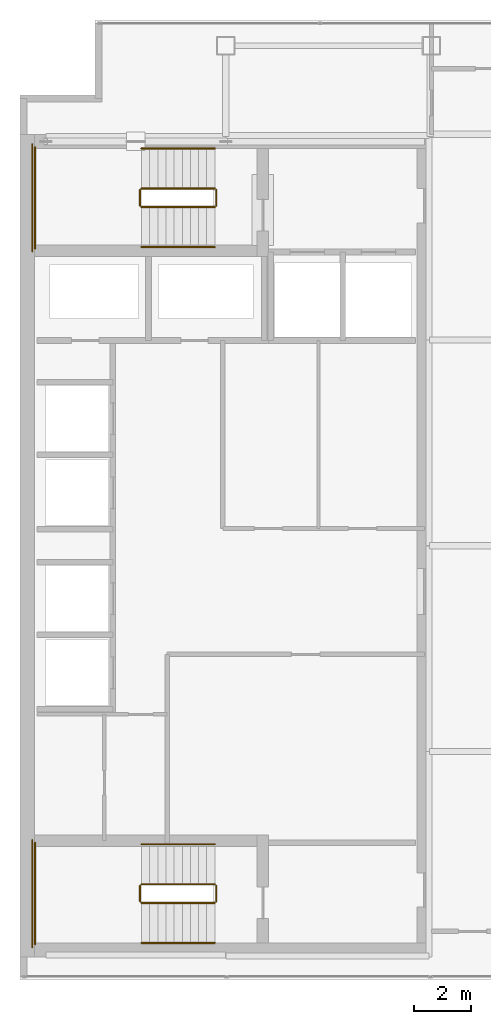
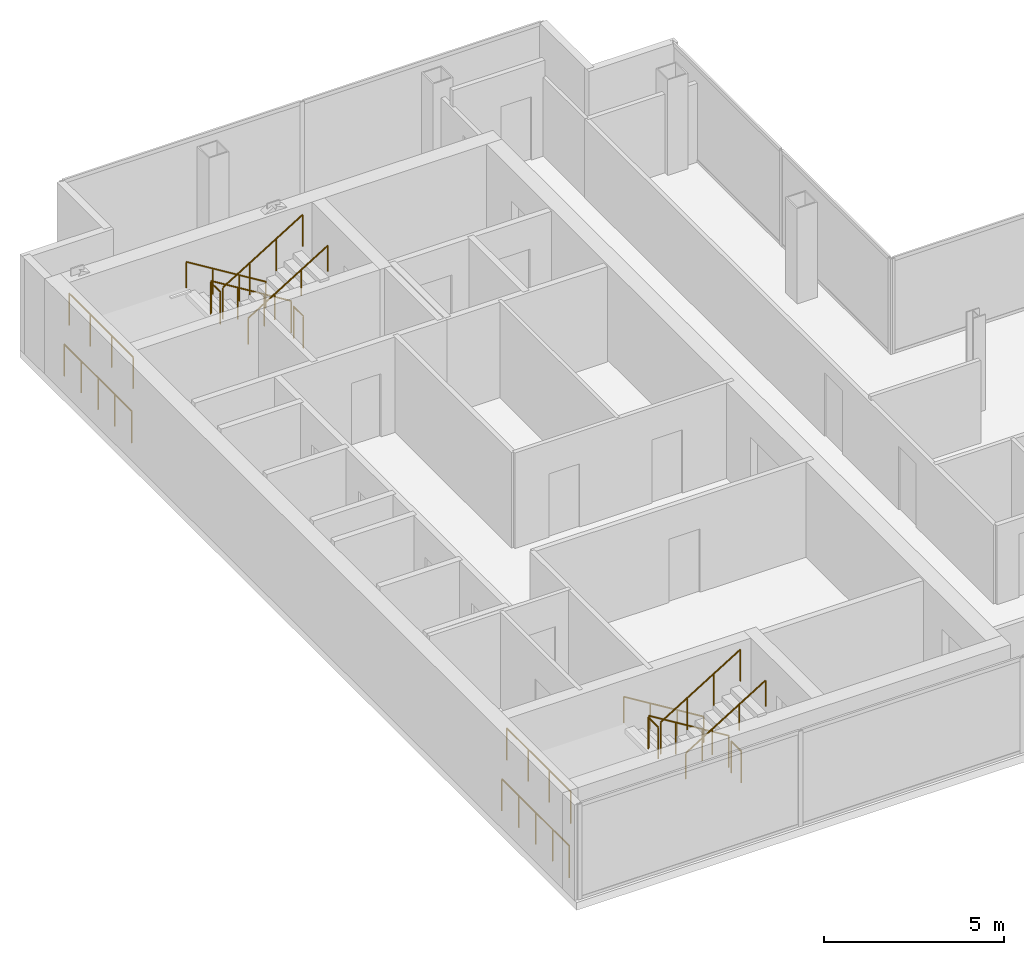
# One storey, part 23 of 23: 16 railings.
"""IFC4 building model written with IfcOpenShell, lengths in metres."""

from ifc_helpers import new_model, si_unit, direction, frame, origin, origin_2d, place, context, subcontext, project, spatial, circle, extrude, material, type_object, element, save


model = new_model("IFC4")

# Units and contexts
model_context = context("Model", 3, precision=1e-05, world=origin(), true_north=direction((0.0, 1.0)))
body_context = subcontext(model_context, "Body", "Model", "MODEL_VIEW")
ifc_project = project(units=[si_unit("LENGTHUNIT", "METRE"), si_unit("AREAUNIT", "SQUARE_METRE"), si_unit("VOLUMEUNIT", "CUBIC_METRE"), si_unit("PLANEANGLEUNIT", "RADIAN"), si_unit("MASSUNIT", "GRAM", prefix="KILO")], contexts=[model_context])

# Site, building, storey
site_placement = place(None, origin())
site = spatial("IfcSite", under=ifc_project, at=site_placement, CompositionType="ELEMENT")
building_placement = place(site_placement, origin())
building = spatial("IfcBuilding", under=site, at=building_placement, Name="Cobrela Telecom Tower", CompositionType="ELEMENT")
storey_placement = place(building_placement, frame((0.0, 0.0, 276.14990234375)))
storey = spatial("IfcBuildingStorey", under=building, at=storey_placement, Name="L72", CompositionType="ELEMENT", Elevation=276.14990234375)

# Railings
ifc_material = material(Name="Steel ASTM A36", Category="steel")
railing_type_1 = type_object("IfcRailingType", Name="RAIL-GUARD-1100", PredefinedType="GUARDRAIL", material=ifc_material)
railing_1_placement = place(storey_placement, frame((6.820068359375, 34.10009765625, 0.175048828125)))
element("IfcRailing", 1, at=railing_1_placement, inside=storey, type_object=railing_type_1, Name="L72 ST1 stair guard 1", PredefinedType="GUARDRAIL", context=body_context, shape_type="SweptSolid", body=[
    extrude(circle(Radius=0.02392578125, at=origin_2d()), frame((0.0, 0.0, 1.076171875), z_axis=(-0.852195335862, 0.0, 0.523223766217), x_axis=(0.0, -1.0, 0.0)), (0.0, 0.0, 1.0), 3.010009765625),
    extrude(circle(Radius=0.02099609375, at=origin_2d()), origin(), (0.0, 0.0, 1.0), 1.052001953125),
    extrude(circle(Radius=0.02099609375, at=origin_2d()), frame((-0.85498046875, 0.0, 0.52490234375)), (0.0, 0.0, 1.0), 1.052001953125),
    extrude(circle(Radius=0.02099609375, at=origin_2d()), frame((-1.710205078125, 0.0, 1.050048828125)), (0.0, 0.0, 1.0), 1.052001953125),
    extrude(circle(Radius=0.02099609375, at=origin_2d()), frame((-2.565185546875, 0.0, 1.574951171875)), (0.0, 0.0, 1.0), 1.052001953125),
])
railing_2_placement = place(storey_placement, frame((4.205078125, 34.050048828125, 1.75)))
element("IfcRailing", 2, at=railing_2_placement, inside=storey, type_object=railing_type_1, Name="L72 ST1 stair guard 2", PredefinedType="GUARDRAIL", context=body_context, shape_type="SweptSolid", body=[
    extrude(circle(Radius=0.02392578125, at=origin_2d()), frame((0.0, 0.0, 1.076171875), z_axis=(0.0, -1.0, 0.0), x_axis=(1.0, 0.0, 0.0)), (0.0, 0.0, 1.0), 0.550048828125),
    extrude(circle(Radius=0.02099609375, at=origin_2d()), origin(), (0.0, 0.0, 1.0), 1.052001953125),
    extrude(circle(Radius=0.02099609375, at=origin_2d()), frame((0.0, -0.550048828125, 0.0)), (0.0, 0.0, 1.0), 1.052001953125),
])
railing_3_placement = place(storey_placement, frame((0.530029296875, 35.550048828125, 1.75)))
element("IfcRailing", 3, at=railing_3_placement, inside=storey, type_object=railing_type_1, Name="L72 ST1 stair guard 3", PredefinedType="GUARDRAIL", context=body_context, shape_type="SweptSolid", body=[
    extrude(circle(Radius=0.02392578125, at=origin_2d()), frame((0.0, 0.0, 1.076171875), z_axis=(0.0, -1.0, 0.0), x_axis=(1.0, 0.0, 0.0)), (0.0, 0.0, 1.0), 3.550048828125),
    extrude(circle(Radius=0.02099609375, at=origin_2d()), origin(), (0.0, 0.0, 1.0), 1.052001953125),
    extrude(circle(Radius=0.02099609375, at=origin_2d()), frame((0.0, -1.183349609375, 0.0)), (0.0, 0.0, 1.0), 1.052001953125),
    extrude(circle(Radius=0.02099609375, at=origin_2d()), frame((0.0, -2.36669921875, 0.0)), (0.0, 0.0, 1.0), 1.052001953125),
    extrude(circle(Radius=0.02099609375, at=origin_2d()), frame((0.0, -3.550048828125, 0.0)), (0.0, 0.0, 1.0), 1.052001953125),
])
railing_4_placement = place(storey_placement, frame((4.2548828125, 33.449951171875, 1.925048828125)))
element("IfcRailing", 4, at=railing_4_placement, inside=storey, type_object=railing_type_1, Name="L72 ST1 stair guard 4", PredefinedType="GUARDRAIL", context=body_context, shape_type="SweptSolid", body=[
    extrude(circle(Radius=0.02392578125, at=origin_2d()), frame((0.0, 0.0, 1.076171875), z_axis=(0.852195335862, 0.0, 0.523223766217), x_axis=(0.0, 1.0, 0.0)), (0.0, 0.0, 1.0), 3.010009765625),
    extrude(circle(Radius=0.02099609375, at=origin_2d()), origin(), (0.0, 0.0, 1.0), 1.052001953125),
    extrude(circle(Radius=0.02099609375, at=origin_2d()), frame((0.85498046875, 0.0, 0.52490234375)), (0.0, 0.0, 1.0), 1.052001953125),
    extrude(circle(Radius=0.02099609375, at=origin_2d()), frame((1.710205078125, 0.0, 1.050048828125)), (0.0, 0.0, 1.0), 1.052001953125),
    extrude(circle(Radius=0.02099609375, at=origin_2d()), frame((2.565185546875, 0.0, 1.574951171875)), (0.0, 0.0, 1.0), 1.052001953125),
])
railing_5_placement = place(storey_placement, frame((6.8701171875, 34.050048828125, 0.0)))
element("IfcRailing", 5, at=railing_5_placement, inside=storey, type_object=railing_type_1, Name="L72 ST1 stair guard 5", PredefinedType="GUARDRAIL", context=body_context, shape_type="SweptSolid", body=[
    extrude(circle(Radius=0.02392578125, at=origin_2d()), frame((0.0, 0.0, 1.076171875), z_axis=(0.0, -1.0, 0.0), x_axis=(1.0, 0.0, 0.0)), (0.0, 0.0, 1.0), 0.550048828125),
    extrude(circle(Radius=0.02099609375, at=origin_2d()), origin(), (0.0, 0.0, 1.0), 1.052001953125),
    extrude(circle(Radius=0.02099609375, at=origin_2d()), frame((0.0, -0.550048828125, 0.0)), (0.0, 0.0, 1.0), 1.052001953125),
])
railing_6_placement = place(storey_placement, frame((0.429931640625, 35.64990234375, 0.0)))
element("IfcRailing", 6, at=railing_6_placement, inside=storey, type_object=railing_type_1, Name="L72 ST1 stair guard 6", PredefinedType="GUARDRAIL", context=body_context, shape_type="SweptSolid", body=[
    extrude(circle(Radius=0.02392578125, at=origin_2d()), frame((0.0, 0.0, 1.076171875), z_axis=(0.0, -1.0, 0.0), x_axis=(1.0, 0.0, 0.0)), (0.0, 0.0, 1.0), 3.75),
    extrude(circle(Radius=0.02099609375, at=origin_2d()), origin(), (0.0, 0.0, 1.0), 1.052001953125),
    extrude(circle(Radius=0.02099609375, at=origin_2d()), frame((0.0, -0.9375, 0.0)), (0.0, 0.0, 1.0), 1.052001953125),
    extrude(circle(Radius=0.02099609375, at=origin_2d()), frame((0.0, -1.875, 0.0)), (0.0, 0.0, 1.0), 1.052001953125),
    extrude(circle(Radius=0.02099609375, at=origin_2d()), frame((0.0, -2.8125, 0.0)), (0.0, 0.0, 1.0), 1.052001953125),
    extrude(circle(Radius=0.02099609375, at=origin_2d()), frame((0.0, -3.75, 0.0)), (0.0, 0.0, 1.0), 1.052001953125),
])
railing_7_placement = place(storey_placement, frame((6.820068359375, 9.75, 0.175048828125)))
element("IfcRailing", 7, at=railing_7_placement, inside=storey, type_object=railing_type_1, Name="L72 ST2 stair guard 1", PredefinedType="GUARDRAIL", context=body_context, shape_type="SweptSolid", body=[
    extrude(circle(Radius=0.02392578125, at=origin_2d()), frame((0.0, 0.0, 1.076171875), z_axis=(-0.852195335862, 0.0, 0.523223766217), x_axis=(0.0, -1.0, 0.0)), (0.0, 0.0, 1.0), 3.010009765625),
    extrude(circle(Radius=0.02099609375, at=origin_2d()), origin(), (0.0, 0.0, 1.0), 1.052001953125),
    extrude(circle(Radius=0.02099609375, at=origin_2d()), frame((-0.85498046875, 0.0, 0.52490234375)), (0.0, 0.0, 1.0), 1.052001953125),
    extrude(circle(Radius=0.02099609375, at=origin_2d()), frame((-1.710205078125, 0.0, 1.050048828125)), (0.0, 0.0, 1.0), 1.052001953125),
    extrude(circle(Radius=0.02099609375, at=origin_2d()), frame((-2.565185546875, 0.0, 1.574951171875)), (0.0, 0.0, 1.0), 1.052001953125),
])
railing_8_placement = place(storey_placement, frame((4.205078125, 9.699951171875, 1.75)))
element("IfcRailing", 8, at=railing_8_placement, inside=storey, type_object=railing_type_1, Name="L72 ST2 stair guard 2", PredefinedType="GUARDRAIL", context=body_context, shape_type="SweptSolid", body=[
    extrude(circle(Radius=0.02392578125, at=origin_2d()), frame((0.0, 0.0, 1.076171875), z_axis=(0.0, -1.0, 0.0), x_axis=(1.0, 0.0, 0.0)), (0.0, 0.0, 1.0), 0.550048828125),
    extrude(circle(Radius=0.02099609375, at=origin_2d()), origin(), (0.0, 0.0, 1.0), 1.052001953125),
    extrude(circle(Radius=0.02099609375, at=origin_2d()), frame((0.0, -0.550048828125, 0.0)), (0.0, 0.0, 1.0), 1.052001953125),
])
railing_9_placement = place(storey_placement, frame((0.530029296875, 11.199951171875, 1.75)))
element("IfcRailing", 9, at=railing_9_placement, inside=storey, type_object=railing_type_1, Name="L72 ST2 stair guard 3", PredefinedType="GUARDRAIL", context=body_context, shape_type="SweptSolid", body=[
    extrude(circle(Radius=0.02392578125, at=origin_2d()), frame((0.0, 0.0, 1.076171875), z_axis=(0.0, -1.0, 0.0), x_axis=(1.0, 0.0, 0.0)), (0.0, 0.0, 1.0), 3.550048828125),
    extrude(circle(Radius=0.02099609375, at=origin_2d()), origin(), (0.0, 0.0, 1.0), 1.052001953125),
    extrude(circle(Radius=0.02099609375, at=origin_2d()), frame((0.0, -1.183349609375, 0.0)), (0.0, 0.0, 1.0), 1.052001953125),
    extrude(circle(Radius=0.02099609375, at=origin_2d()), frame((0.0, -2.36669921875, 0.0)), (0.0, 0.0, 1.0), 1.052001953125),
    extrude(circle(Radius=0.02099609375, at=origin_2d()), frame((0.0, -3.550048828125, 0.0)), (0.0, 0.0, 1.0), 1.052001953125),
])
railing_10_placement = place(storey_placement, frame((4.2548828125, 9.10009765625, 1.925048828125)))
element("IfcRailing", 10, at=railing_10_placement, inside=storey, type_object=railing_type_1, Name="L72 ST2 stair guard 4", PredefinedType="GUARDRAIL", context=body_context, shape_type="SweptSolid", body=[
    extrude(circle(Radius=0.02392578125, at=origin_2d()), frame((0.0, 0.0, 1.076171875), z_axis=(0.852195335862, 0.0, 0.523223766217), x_axis=(0.0, 1.0, 0.0)), (0.0, 0.0, 1.0), 3.010009765625),
    extrude(circle(Radius=0.02099609375, at=origin_2d()), origin(), (0.0, 0.0, 1.0), 1.052001953125),
    extrude(circle(Radius=0.02099609375, at=origin_2d()), frame((0.85498046875, 0.0, 0.52490234375)), (0.0, 0.0, 1.0), 1.052001953125),
    extrude(circle(Radius=0.02099609375, at=origin_2d()), frame((1.710205078125, 0.0, 1.050048828125)), (0.0, 0.0, 1.0), 1.052001953125),
    extrude(circle(Radius=0.02099609375, at=origin_2d()), frame((2.565185546875, 0.0, 1.574951171875)), (0.0, 0.0, 1.0), 1.052001953125),
])
railing_11_placement = place(storey_placement, frame((6.8701171875, 9.699951171875, 0.0)))
element("IfcRailing", 11, at=railing_11_placement, inside=storey, type_object=railing_type_1, Name="L72 ST2 stair guard 5", PredefinedType="GUARDRAIL", context=body_context, shape_type="SweptSolid", body=[
    extrude(circle(Radius=0.02392578125, at=origin_2d()), frame((0.0, 0.0, 1.076171875), z_axis=(0.0, -1.0, 0.0), x_axis=(1.0, 0.0, 0.0)), (0.0, 0.0, 1.0), 0.550048828125),
    extrude(circle(Radius=0.02099609375, at=origin_2d()), origin(), (0.0, 0.0, 1.0), 1.052001953125),
    extrude(circle(Radius=0.02099609375, at=origin_2d()), frame((0.0, -0.550048828125, 0.0)), (0.0, 0.0, 1.0), 1.052001953125),
])
railing_12_placement = place(storey_placement, frame((0.429931640625, 11.300048828125, 0.0)))
element("IfcRailing", 12, at=railing_12_placement, inside=storey, type_object=railing_type_1, Name="L72 ST2 stair guard 6", PredefinedType="GUARDRAIL", context=body_context, shape_type="SweptSolid", body=[
    extrude(circle(Radius=0.02392578125, at=origin_2d()), frame((0.0, 0.0, 1.076171875), z_axis=(0.0, -1.0, 0.0), x_axis=(1.0, 0.0, 0.0)), (0.0, 0.0, 1.0), 3.75),
    extrude(circle(Radius=0.02099609375, at=origin_2d()), origin(), (0.0, 0.0, 1.0), 1.052001953125),
    extrude(circle(Radius=0.02099609375, at=origin_2d()), frame((0.0, -0.9375, 0.0)), (0.0, 0.0, 1.0), 1.052001953125),
    extrude(circle(Radius=0.02099609375, at=origin_2d()), frame((0.0, -1.875, 0.0)), (0.0, 0.0, 1.0), 1.052001953125),
    extrude(circle(Radius=0.02099609375, at=origin_2d()), frame((0.0, -2.8125, 0.0)), (0.0, 0.0, 1.0), 1.052001953125),
    extrude(circle(Radius=0.02099609375, at=origin_2d()), frame((0.0, -3.75, 0.0)), (0.0, 0.0, 1.0), 1.052001953125),
])
railing_type_2 = type_object("IfcRailingType", Name="RAIL-HAND-920", PredefinedType="HANDRAIL", material=ifc_material)
railing_13_placement = place(storey_placement, frame((6.820068359375, 35.5, 0.175048828125)))
element("IfcRailing", 13, at=railing_13_placement, inside=storey, type_object=railing_type_2, Name="L72 ST1 stair handrail 1", PredefinedType="HANDRAIL", context=body_context, shape_type="SweptSolid", body=[
    extrude(circle(Radius=0.02392578125, at=origin_2d()), frame((0.0, 0.0, 0.8759765625), z_axis=(-0.852195335862, 0.0, 0.523223766217), x_axis=(0.0, -1.0, 0.0)), (0.0, 0.0, 1.0), 3.010009765625),
    extrude(circle(Radius=0.02099609375, at=origin_2d()), origin(), (0.0, 0.0, 1.0), 0.851806640625),
    extrude(circle(Radius=0.02099609375, at=origin_2d()), frame((-0.85498046875, 0.0, 0.52490234375)), (0.0, 0.0, 1.0), 0.851806640625),
    extrude(circle(Radius=0.02099609375, at=origin_2d()), frame((-1.710205078125, 0.0, 1.050048828125)), (0.0, 0.0, 1.0), 0.851806640625),
    extrude(circle(Radius=0.02099609375, at=origin_2d()), frame((-2.565185546875, 0.0, 1.574951171875)), (0.0, 0.0, 1.0), 0.851806640625),
])
railing_14_placement = place(storey_placement, frame((4.2548828125, 32.050048828125, 1.925048828125)))
element("IfcRailing", 14, at=railing_14_placement, inside=storey, type_object=railing_type_2, Name="L72 ST1 stair handrail 2", PredefinedType="HANDRAIL", context=body_context, shape_type="SweptSolid", body=[
    extrude(circle(Radius=0.02392578125, at=origin_2d()), frame((0.0, 0.0, 0.8759765625), z_axis=(0.852195335862, 0.0, 0.523223766217), x_axis=(0.0, 1.0, 0.0)), (0.0, 0.0, 1.0), 3.010009765625),
    extrude(circle(Radius=0.02099609375, at=origin_2d()), origin(), (0.0, 0.0, 1.0), 0.851806640625),
    extrude(circle(Radius=0.02099609375, at=origin_2d()), frame((0.85498046875, 0.0, 0.52490234375)), (0.0, 0.0, 1.0), 0.851806640625),
    extrude(circle(Radius=0.02099609375, at=origin_2d()), frame((1.710205078125, 0.0, 1.050048828125)), (0.0, 0.0, 1.0), 0.851806640625),
    extrude(circle(Radius=0.02099609375, at=origin_2d()), frame((2.565185546875, 0.0, 1.574951171875)), (0.0, 0.0, 1.0), 0.851806640625),
])
railing_15_placement = place(storey_placement, frame((6.820068359375, 11.14990234375, 0.175048828125)))
element("IfcRailing", 15, at=railing_15_placement, inside=storey, type_object=railing_type_2, Name="L72 ST2 stair handrail 1", PredefinedType="HANDRAIL", context=body_context, shape_type="SweptSolid", body=[
    extrude(circle(Radius=0.02392578125, at=origin_2d()), frame((0.0, 0.0, 0.8759765625), z_axis=(-0.852195335862, 0.0, 0.523223766217), x_axis=(0.0, -1.0, 0.0)), (0.0, 0.0, 1.0), 3.010009765625),
    extrude(circle(Radius=0.02099609375, at=origin_2d()), origin(), (0.0, 0.0, 1.0), 0.851806640625),
    extrude(circle(Radius=0.02099609375, at=origin_2d()), frame((-0.85498046875, 0.0, 0.52490234375)), (0.0, 0.0, 1.0), 0.851806640625),
    extrude(circle(Radius=0.02099609375, at=origin_2d()), frame((-1.710205078125, 0.0, 1.050048828125)), (0.0, 0.0, 1.0), 0.851806640625),
    extrude(circle(Radius=0.02099609375, at=origin_2d()), frame((-2.565185546875, 0.0, 1.574951171875)), (0.0, 0.0, 1.0), 0.851806640625),
])
railing_16_placement = place(storey_placement, frame((4.2548828125, 7.699951171875, 1.925048828125)))
element("IfcRailing", 16, at=railing_16_placement, inside=storey, type_object=railing_type_2, Name="L72 ST2 stair handrail 2", PredefinedType="HANDRAIL", context=body_context, shape_type="SweptSolid", body=[
    extrude(circle(Radius=0.02392578125, at=origin_2d()), frame((0.0, 0.0, 0.8759765625), z_axis=(0.852195335862, 0.0, 0.523223766217), x_axis=(0.0, 1.0, 0.0)), (0.0, 0.0, 1.0), 3.010009765625),
    extrude(circle(Radius=0.02099609375, at=origin_2d()), origin(), (0.0, 0.0, 1.0), 0.851806640625),
    extrude(circle(Radius=0.02099609375, at=origin_2d()), frame((0.85498046875, 0.0, 0.52490234375)), (0.0, 0.0, 1.0), 0.851806640625),
    extrude(circle(Radius=0.02099609375, at=origin_2d()), frame((1.710205078125, 0.0, 1.050048828125)), (0.0, 0.0, 1.0), 0.851806640625),
    extrude(circle(Radius=0.02099609375, at=origin_2d()), frame((2.565185546875, 0.0, 1.574951171875)), (0.0, 0.0, 1.0), 0.851806640625),
])

save(model, "model.ifc")
